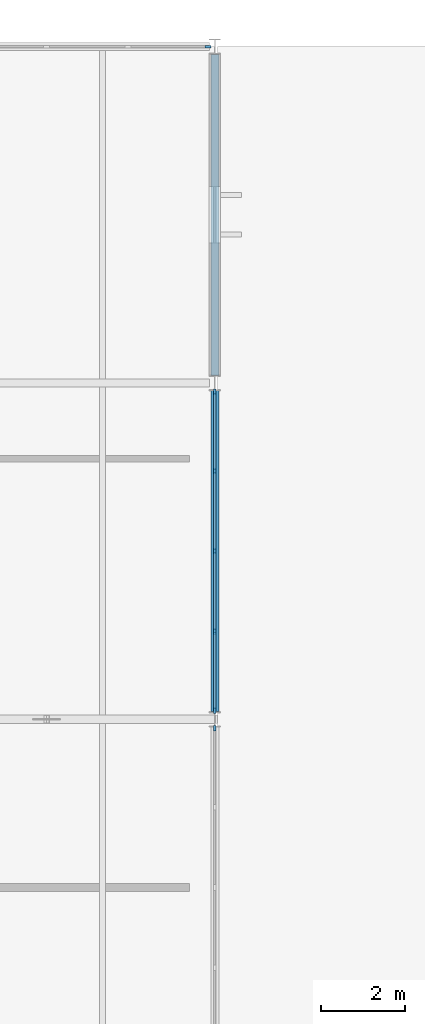
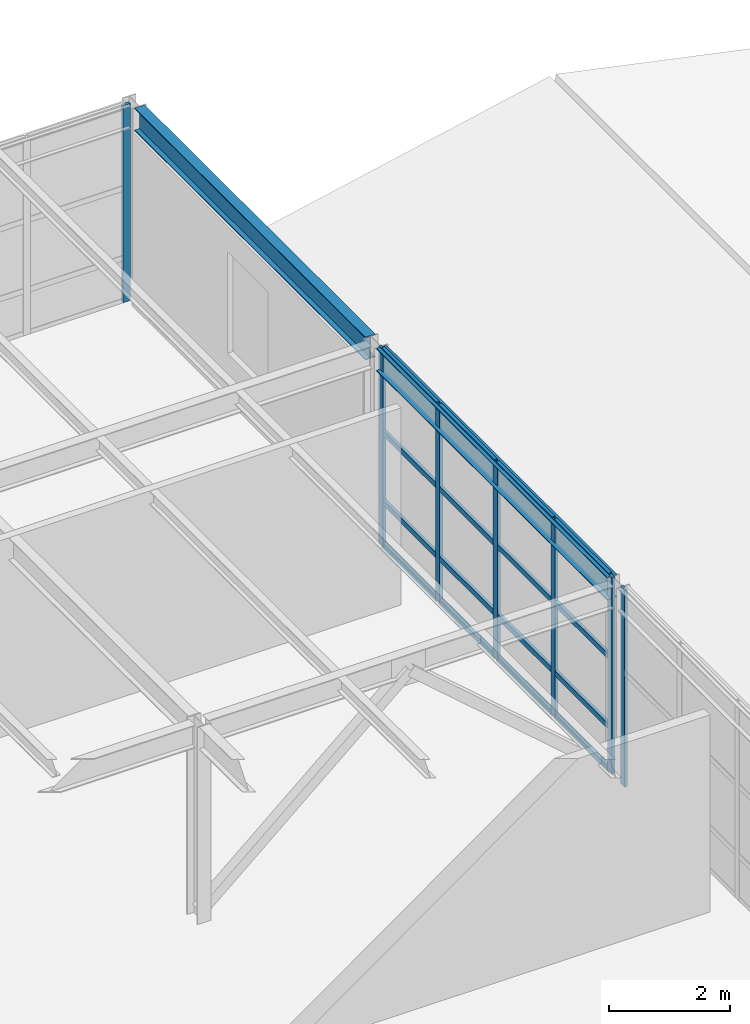
# One storey, part 12 of 20: 23 members, 2 beams, 3 elements without a shape of their own.
"""IFC4 building model written with IfcOpenShell, lengths in metres."""

from ifc_helpers import new_model, si_unit, direction, frame, origin, origin_2d, place, context, subcontext, project, spatial, rectangle, i_section, extrude, material, layer, layer_set, material_profile, profile_set, type_object, element, aggregate, save


model = new_model("IFC4")

# Units and contexts
model_context = context("Model", 3, precision=1e-05, world=origin(), true_north=direction((0.0, 1.0)))
body_context = subcontext(model_context, "Body", "Model", "MODEL_VIEW")
ifc_project = project(units=[si_unit("LENGTHUNIT", "METRE"), si_unit("AREAUNIT", "SQUARE_METRE"), si_unit("VOLUMEUNIT", "CUBIC_METRE"), si_unit("PLANEANGLEUNIT", "RADIAN"), si_unit("MASSUNIT", "GRAM", prefix="KILO")], contexts=[model_context])

# Site, building, storey
site_placement = place(None, origin())
site = spatial("IfcSite", under=ifc_project, at=site_placement, CompositionType="ELEMENT")
building_placement = place(site_placement, origin())
building = spatial("IfcBuilding", under=site, at=building_placement, Name="Varnela Railside Interchange", CompositionType="ELEMENT")
storey_placement = place(building_placement, frame((0.0, 0.0, 28.0)))
storey = spatial("IfcBuildingStorey", under=building, at=storey_placement, Name="L06", CompositionType="ELEMENT", Elevation=28.0)

# Curtain wall, member
ifc_material_1 = material(Name="Aluminium 6063-T6", Category="aluminium")
ifc_layer = layer(ifc_material_1, 0.035888671875)
ifc_layer_set = layer_set([ifc_layer], Name="Aluminium 6063-T6")
curtain_wall_type = type_object("IfcCurtainWallType", Name="Operations Wing Facade Curtain Wall CW-03", PredefinedType="USERDEFINED", material=ifc_layer_set)
curtain_wall_1_placement = place(storey_placement, origin())
curtain_wall_1 = element("IfcCurtainWall", 1, at=curtain_wall_1_placement, inside=storey, type_object=curtain_wall_type, Name="Curtain Wall CW-03 (L06) (CW-141)", ObjectType="CURTAIN WALL", PredefinedType="USERDEFINED")
ifc_material_profile_1 = material_profile(ifc_material_1, rectangle(XDim=0.06005859375, YDim=0.139892578125, at=origin_2d()), Name="ALU 60x140")
ifc_profile_set_1 = profile_set([ifc_material_profile_1], Name="Aluminium 6063-T6")
member_type_1 = type_object("IfcMemberType", Name="Curtain Wall Mullion ML-01", PredefinedType="MULLION", material=ifc_profile_set_1)
member_1_placement = place(storey_placement, frame((35.841552734375, 94.0, 0.0), z_axis=(0.0, 0.0, 1.0), x_axis=(0.0, 1.0, 0.0)))
member_1 = element("IfcMember", 2, at=member_1_placement, type_object=member_type_1, Name="CW-03 mullion 5", PredefinedType="MULLION", context=body_context, shape_type="SweptSolid", body=[
    extrude(rectangle(XDim=0.06005859375, YDim=0.139892578125, at=origin_2d()), origin(), (0.0, 0.0, 1.0), 3.97998046875),
])
aggregate(curtain_wall_1, [member_1])

# Curtain wall, members
curtain_wall_2_placement = place(storey_placement, origin())
curtain_wall_2 = element("IfcCurtainWall", 3, at=curtain_wall_2_placement, inside=storey, type_object=curtain_wall_type, Name="Curtain Wall CW-03 (L06) (CW-142)", ObjectType="CURTAIN WALL", PredefinedType="USERDEFINED")
member_2_placement = place(storey_placement, frame((36.0, 85.78857421875, 0.0), z_axis=(0.0, 0.0, 1.0), x_axis=(1.0, 0.0, 0.0)))
member_2 = element("IfcMember", 4, at=member_2_placement, type_object=member_type_1, Name="CW-03 mullion 1", PredefinedType="MULLION", context=body_context, shape_type="SweptSolid", body=[
    extrude(rectangle(XDim=0.06005859375, YDim=0.139892578125, at=origin_2d()), origin(), (0.0, 0.0, 1.0), 3.97998046875),
])
member_3_placement = place(storey_placement, frame((36.0, 83.9091796875, 0.0), z_axis=(0.0, 0.0, 1.0), x_axis=(1.0, 0.0, 0.0)))
member_3 = element("IfcMember", 5, at=member_3_placement, type_object=member_type_1, Name="CW-03 mullion 2", PredefinedType="MULLION", context=body_context, shape_type="SweptSolid", body=[
    extrude(rectangle(XDim=0.06005859375, YDim=0.139892578125, at=origin_2d()), origin(), (0.0, 0.0, 1.0), 3.97998046875),
])
member_4_placement = place(storey_placement, frame((36.0, 82.0, 0.0), z_axis=(0.0, 0.0, 1.0), x_axis=(1.0, 0.0, 0.0)))
member_4 = element("IfcMember", 6, at=member_4_placement, type_object=member_type_1, Name="CW-03 mullion 3", PredefinedType="MULLION", context=body_context, shape_type="SweptSolid", body=[
    extrude(rectangle(XDim=0.06005859375, YDim=0.139892578125, at=origin_2d()), origin(), (0.0, 0.0, 1.0), 3.97998046875),
])
member_5_placement = place(storey_placement, frame((36.0, 80.0908203125, 0.0), z_axis=(0.0, 0.0, 1.0), x_axis=(1.0, 0.0, 0.0)))
member_5 = element("IfcMember", 7, at=member_5_placement, type_object=member_type_1, Name="CW-03 mullion 4", PredefinedType="MULLION", context=body_context, shape_type="SweptSolid", body=[
    extrude(rectangle(XDim=0.06005859375, YDim=0.139892578125, at=origin_2d()), origin(), (0.0, 0.0, 1.0), 3.97998046875),
])
member_6_placement = place(storey_placement, frame((36.0, 78.21142578125, 0.0), z_axis=(0.0, 0.0, 1.0), x_axis=(1.0, 0.0, 0.0)))
member_6 = element("IfcMember", 8, at=member_6_placement, type_object=member_type_1, Name="CW-03 mullion 5", PredefinedType="MULLION", context=body_context, shape_type="SweptSolid", body=[
    extrude(rectangle(XDim=0.06005859375, YDim=0.139892578125, at=origin_2d()), origin(), (0.0, 0.0, 1.0), 3.97998046875),
])

# Curtain wall, member
curtain_wall_3_placement = place(storey_placement, origin())
curtain_wall_3 = element("IfcCurtainWall", 9, at=curtain_wall_3_placement, inside=storey, type_object=curtain_wall_type, Name="Curtain Wall CW-03 (L06) (CW-143)", ObjectType="CURTAIN WALL", PredefinedType="USERDEFINED")
member_7_placement = place(storey_placement, frame((36.0, 77.78857421875, 0.0), z_axis=(0.0, 0.0, 1.0), x_axis=(1.0, 0.0, 0.0)))
member_7 = element("IfcMember", 10, at=member_7_placement, type_object=member_type_1, Name="CW-03 mullion 1", PredefinedType="MULLION", context=body_context, shape_type="SweptSolid", body=[
    extrude(rectangle(XDim=0.06005859375, YDim=0.139892578125, at=origin_2d()), origin(), (0.0, 0.0, 1.0), 3.97998046875),
])
aggregate(curtain_wall_3, [member_7])

# Member
ifc_material_profile_2 = material_profile(ifc_material_1, rectangle(XDim=0.06005859375, YDim=0.110107421875, at=origin_2d()), Name="ALU 60x110")
ifc_profile_set_2 = profile_set([ifc_material_profile_2], Name="Aluminium 6063-T6")
member_type_2 = type_object("IfcMemberType", Name="Curtain Wall Transom TR-01", PredefinedType="USERDEFINED", material=ifc_profile_set_2)
member_8_placement = place(storey_placement, frame((36.0, 85.758544921875, 0.030029296875), z_axis=(0.0, -1.0, 0.0), x_axis=(1.0, 0.0, 0.0)))
member_8 = element("IfcMember", 11, at=member_8_placement, type_object=member_type_2, Name="CW-03 transom 1.1", ObjectType="TRANSOM", PredefinedType="USERDEFINED", context=body_context, shape_type="SweptSolid", body=[
    extrude(rectangle(XDim=0.06005859375, YDim=0.110107421875, at=origin_2d()), origin(), (0.0, 0.0, 1.0), 1.8193359375),
])

member_9_placement = place(storey_placement, frame((36.0, 85.758544921875, 0.89990234375), z_axis=(0.0, -1.0, 0.0), x_axis=(1.0, 0.0, 0.0)))
member_9 = element("IfcMember", 12, at=member_9_placement, type_object=member_type_2, Name="CW-03 transom 1.2", ObjectType="TRANSOM", PredefinedType="USERDEFINED", context=body_context, shape_type="SweptSolid", body=[
    extrude(rectangle(XDim=0.06005859375, YDim=0.110107421875, at=origin_2d()), origin(), (0.0, 0.0, 1.0), 1.8193359375),
])

member_10_placement = place(storey_placement, frame((36.0, 85.758544921875, 2.308349609375), z_axis=(0.0, -1.0, 0.0), x_axis=(1.0, 0.0, 0.0)))
member_10 = element("IfcMember", 13, at=member_10_placement, type_object=member_type_2, Name="CW-03 transom 1.3", ObjectType="TRANSOM", PredefinedType="USERDEFINED", context=body_context, shape_type="SweptSolid", body=[
    extrude(rectangle(XDim=0.06005859375, YDim=0.110107421875, at=origin_2d()), origin(), (0.0, 0.0, 1.0), 1.8193359375),
])

member_11_placement = place(storey_placement, frame((36.0, 85.758544921875, 3.949951171875), z_axis=(0.0, -1.0, 0.0), x_axis=(1.0, 0.0, 0.0)))
member_11 = element("IfcMember", 14, at=member_11_placement, type_object=member_type_2, Name="CW-03 transom 1.4", ObjectType="TRANSOM", PredefinedType="USERDEFINED", context=body_context, shape_type="SweptSolid", body=[
    extrude(rectangle(XDim=0.06005859375, YDim=0.110107421875, at=origin_2d()), origin(), (0.0, 0.0, 1.0), 1.8193359375),
])

member_12_placement = place(storey_placement, frame((36.0, 83.879150390625, 0.030029296875), z_axis=(0.0, -1.0, 0.0), x_axis=(1.0, 0.0, 0.0)))
member_12 = element("IfcMember", 15, at=member_12_placement, type_object=member_type_2, Name="CW-03 transom 2.1", ObjectType="TRANSOM", PredefinedType="USERDEFINED", context=body_context, shape_type="SweptSolid", body=[
    extrude(rectangle(XDim=0.06005859375, YDim=0.110107421875, at=origin_2d()), origin(), (0.0, 0.0, 1.0), 1.84912109375),
])

member_13_placement = place(storey_placement, frame((36.0, 83.879150390625, 0.89990234375), z_axis=(0.0, -1.0, 0.0), x_axis=(1.0, 0.0, 0.0)))
member_13 = element("IfcMember", 16, at=member_13_placement, type_object=member_type_2, Name="CW-03 transom 2.2", ObjectType="TRANSOM", PredefinedType="USERDEFINED", context=body_context, shape_type="SweptSolid", body=[
    extrude(rectangle(XDim=0.06005859375, YDim=0.110107421875, at=origin_2d()), origin(), (0.0, 0.0, 1.0), 1.84912109375),
])

member_14_placement = place(storey_placement, frame((36.0, 83.879150390625, 2.308349609375), z_axis=(0.0, -1.0, 0.0), x_axis=(1.0, 0.0, 0.0)))
member_14 = element("IfcMember", 17, at=member_14_placement, type_object=member_type_2, Name="CW-03 transom 2.3", ObjectType="TRANSOM", PredefinedType="USERDEFINED", context=body_context, shape_type="SweptSolid", body=[
    extrude(rectangle(XDim=0.06005859375, YDim=0.110107421875, at=origin_2d()), origin(), (0.0, 0.0, 1.0), 1.84912109375),
])

member_15_placement = place(storey_placement, frame((36.0, 83.879150390625, 3.949951171875), z_axis=(0.0, -1.0, 0.0), x_axis=(1.0, 0.0, 0.0)))
member_15 = element("IfcMember", 18, at=member_15_placement, type_object=member_type_2, Name="CW-03 transom 2.4", ObjectType="TRANSOM", PredefinedType="USERDEFINED", context=body_context, shape_type="SweptSolid", body=[
    extrude(rectangle(XDim=0.06005859375, YDim=0.110107421875, at=origin_2d()), origin(), (0.0, 0.0, 1.0), 1.84912109375),
])

member_16_placement = place(storey_placement, frame((36.0, 81.969970703125, 0.030029296875), z_axis=(0.0, -1.0, 0.0), x_axis=(1.0, 0.0, 0.0)))
member_16 = element("IfcMember", 19, at=member_16_placement, type_object=member_type_2, Name="CW-03 transom 3.1", ObjectType="TRANSOM", PredefinedType="USERDEFINED", context=body_context, shape_type="SweptSolid", body=[
    extrude(rectangle(XDim=0.06005859375, YDim=0.110107421875, at=origin_2d()), origin(), (0.0, 0.0, 1.0), 1.84912109375),
])

member_17_placement = place(storey_placement, frame((36.0, 81.969970703125, 0.89990234375), z_axis=(0.0, -1.0, 0.0), x_axis=(1.0, 0.0, 0.0)))
member_17 = element("IfcMember", 20, at=member_17_placement, type_object=member_type_2, Name="CW-03 transom 3.2", ObjectType="TRANSOM", PredefinedType="USERDEFINED", context=body_context, shape_type="SweptSolid", body=[
    extrude(rectangle(XDim=0.06005859375, YDim=0.110107421875, at=origin_2d()), origin(), (0.0, 0.0, 1.0), 1.84912109375),
])

member_18_placement = place(storey_placement, frame((36.0, 81.969970703125, 2.308349609375), z_axis=(0.0, -1.0, 0.0), x_axis=(1.0, 0.0, 0.0)))
member_18 = element("IfcMember", 21, at=member_18_placement, type_object=member_type_2, Name="CW-03 transom 3.3", ObjectType="TRANSOM", PredefinedType="USERDEFINED", context=body_context, shape_type="SweptSolid", body=[
    extrude(rectangle(XDim=0.06005859375, YDim=0.110107421875, at=origin_2d()), origin(), (0.0, 0.0, 1.0), 1.84912109375),
])

member_19_placement = place(storey_placement, frame((36.0, 81.969970703125, 3.949951171875), z_axis=(0.0, -1.0, 0.0), x_axis=(1.0, 0.0, 0.0)))
member_19 = element("IfcMember", 22, at=member_19_placement, type_object=member_type_2, Name="CW-03 transom 3.4", ObjectType="TRANSOM", PredefinedType="USERDEFINED", context=body_context, shape_type="SweptSolid", body=[
    extrude(rectangle(XDim=0.06005859375, YDim=0.110107421875, at=origin_2d()), origin(), (0.0, 0.0, 1.0), 1.84912109375),
])

member_20_placement = place(storey_placement, frame((36.0, 80.060791015625, 0.030029296875), z_axis=(0.0, -1.0, 0.0), x_axis=(1.0, 0.0, 0.0)))
member_20 = element("IfcMember", 23, at=member_20_placement, type_object=member_type_2, Name="CW-03 transom 4.1", ObjectType="TRANSOM", PredefinedType="USERDEFINED", context=body_context, shape_type="SweptSolid", body=[
    extrude(rectangle(XDim=0.06005859375, YDim=0.110107421875, at=origin_2d()), origin(), (0.0, 0.0, 1.0), 1.8193359375),
])

member_21_placement = place(storey_placement, frame((36.0, 80.060791015625, 0.89990234375), z_axis=(0.0, -1.0, 0.0), x_axis=(1.0, 0.0, 0.0)))
member_21 = element("IfcMember", 24, at=member_21_placement, type_object=member_type_2, Name="CW-03 transom 4.2", ObjectType="TRANSOM", PredefinedType="USERDEFINED", context=body_context, shape_type="SweptSolid", body=[
    extrude(rectangle(XDim=0.06005859375, YDim=0.110107421875, at=origin_2d()), origin(), (0.0, 0.0, 1.0), 1.8193359375),
])

member_22_placement = place(storey_placement, frame((36.0, 80.060791015625, 2.308349609375), z_axis=(0.0, -1.0, 0.0), x_axis=(1.0, 0.0, 0.0)))
member_22 = element("IfcMember", 25, at=member_22_placement, type_object=member_type_2, Name="CW-03 transom 4.3", ObjectType="TRANSOM", PredefinedType="USERDEFINED", context=body_context, shape_type="SweptSolid", body=[
    extrude(rectangle(XDim=0.06005859375, YDim=0.110107421875, at=origin_2d()), origin(), (0.0, 0.0, 1.0), 1.8193359375),
])

member_23_placement = place(storey_placement, frame((36.0, 80.060791015625, 3.949951171875), z_axis=(0.0, -1.0, 0.0), x_axis=(1.0, 0.0, 0.0)))
member_23 = element("IfcMember", 26, at=member_23_placement, type_object=member_type_2, Name="CW-03 transom 4.4", ObjectType="TRANSOM", PredefinedType="USERDEFINED", context=body_context, shape_type="SweptSolid", body=[
    extrude(rectangle(XDim=0.06005859375, YDim=0.110107421875, at=origin_2d()), origin(), (0.0, 0.0, 1.0), 1.8193359375),
])

aggregate(curtain_wall_2, [member_2, member_3, member_4, member_5, member_6, member_8, member_9, member_10, member_11, member_12, member_13, member_14, member_15, member_16, member_17, member_18, member_19, member_20, member_21, member_22, member_23])

# Beams
ifc_material_2 = material(Name="Steel AR 350 (350 MPa)", Category="steel")
ifc_material_profile_3 = material_profile(ifc_material_2, i_section(OverallWidth=0.19091796875, OverallDepth=0.4599609375, WebThickness=0.010009765625, FlangeThickness=0.01611328125, at=origin_2d()), Name="W460x82")
ifc_profile_set_3 = profile_set([ifc_material_profile_3], Name="Steel AR 350 (350 MPa)")
beam_type = type_object("IfcBeamType", Name="Steel Perimeter Spandrel SP-01", PredefinedType="SPANDREL", material=ifc_profile_set_3)
for number, where, z_axis, x_axis, name in (
    (27, (36.0, 78.181396484375, 3.75), (0.0, 1.0, 0.0), (-1.0, 0.0, 0.0), "Steel Perimeter Spandrel SP-01 (L06) (BM-2716)"),
    (28, (36.0, 86.181396484375, 3.75), (0.0, 1.0, 0.0), (-1.0, 0.0, 0.0), "Steel Perimeter Spandrel SP-01 (L06) (BM-2717)"),
):
    element("IfcBeam", number, at=place(storey_placement, frame(where, z_axis=z_axis, x_axis=x_axis)), inside=storey, type_object=beam_type, Name=name, PredefinedType="SPANDREL", context=body_context, shape_type="SweptSolid", body=[
        extrude(i_section(OverallWidth=0.19091796875, OverallDepth=0.4599609375, WebThickness=0.010009765625, FlangeThickness=0.01611328125, at=origin_2d()), origin(), (0.0, 0.0, 1.0), 7.63720703125),
    ])

save(model, "model.ifc")
